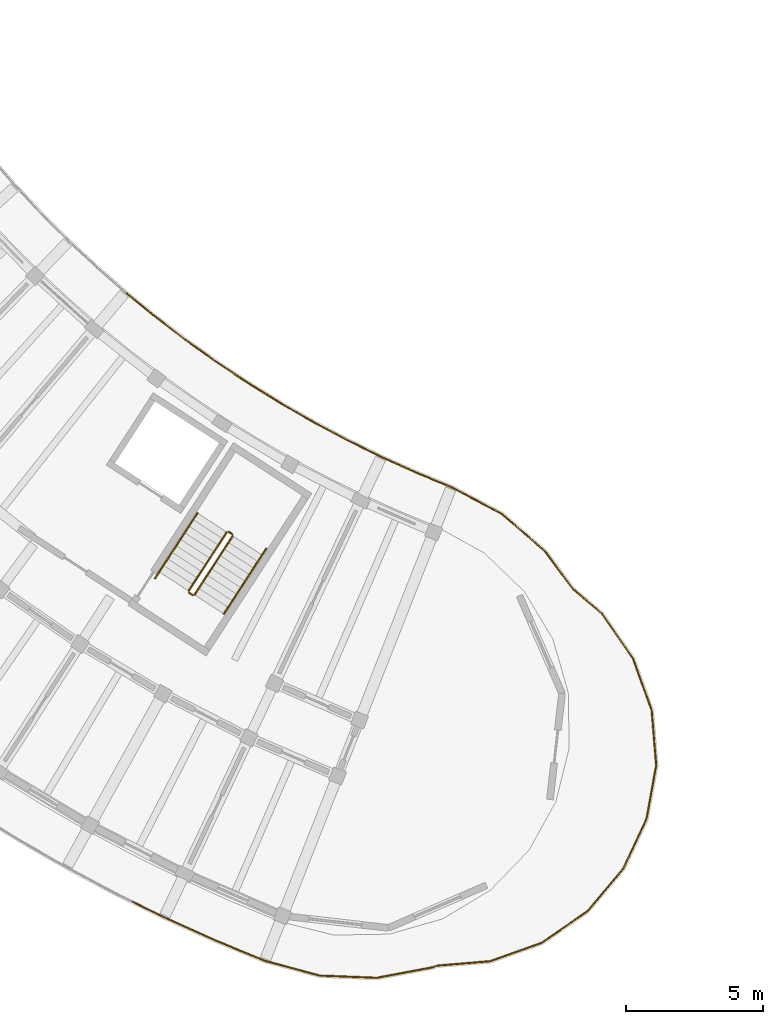
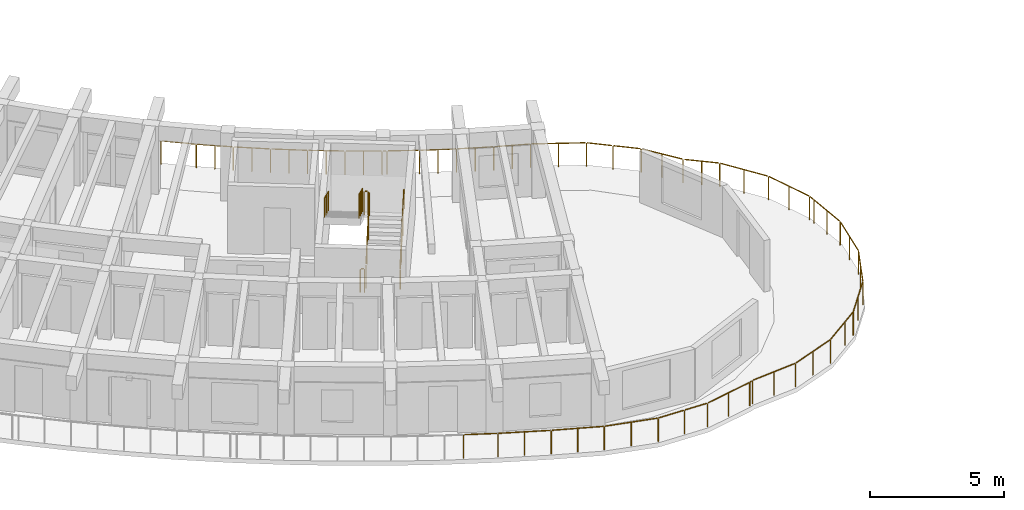
# One storey, part 44 of 56: 16 railings.
"""IFC4 building model written with IfcOpenShell, lengths in metres."""

import ifcopenshell
import ifcopenshell.guid

model = None  # the IFC model being written
_history = None  # IfcOwnerHistory: only IFC2X3 demands one
_inside = {}  # id of a spatial element -> (the spatial element, [elements in it])
_under = {}  # id of a project, library or spatial element -> (it, [spatial elements below it])
_declared = {}  # id of a project -> (the project, [libraries it declares])
_typed = {}  # id of a type object -> (the type object, [elements of that type])
_made_of = {}  # id of a material, layer set ... -> (it, [elements and type objects made of it])


def new_model(schema):
    """Start an empty IFC model of exactly this schema.

    Asked for "IFC4X3", IfcOpenShell would pick the latest addendum, in which some entities
    have other attributes; the version numbers below select the first issue.
    IFC2X3 requires an IfcOwnerHistory on every rooted entity: one is made here for all.
    """
    global model, _history
    if schema == "IFC4X3":
        model = ifcopenshell.file(schema_version=(4, 3, 0, 0))
    else:
        model = ifcopenshell.file(schema=schema)
    _inside.clear()
    _under.clear()
    _declared.clear()
    _typed.clear()
    _made_of.clear()
    _history = None
    if model.schema == "IFC2X3":
        org = make("IfcOrganization", Name="unknown")
        user = make(
            "IfcPersonAndOrganization",
            ThePerson=make("IfcPerson", FamilyName="unknown"),
            TheOrganization=org,
        )
        app = make(
            "IfcApplication",
            ApplicationDeveloper=org,
            Version="unknown",
            ApplicationFullName="unknown",
            ApplicationIdentifier="unknown",
        )
        _history = make(
            "IfcOwnerHistory",
            OwningUser=user,
            OwningApplication=app,
            ChangeAction="ADDED",
            CreationDate=0,
        )
    return model


def make(cls, **values):
    """One entity of the class cls with the attributes given. An attribute that is None is left unset."""
    return model.create_entity(
        cls, **{name: value for name, value in values.items() if value is not None}
    )


def rooted(cls, **values):
    """An entity with a GlobalId (a new one), such as an element, a storey or a relation."""
    return make(cls, GlobalId=ifcopenshell.guid.new(), OwnerHistory=_history, **values)


def si_unit(unit_type, name, prefix=None):
    """IfcSIUnit, for example si_unit("LENGTHUNIT", "METRE", prefix="MILLI")."""
    return make("IfcSIUnit", UnitType=unit_type, Prefix=prefix, Name=name)


def assignment(units):
    """IfcUnitAssignment: the units of a project."""
    return None if units is None else make("IfcUnitAssignment", Units=units)


def point(xyz):
    """IfcCartesianPoint."""
    return None if xyz is None else make("IfcCartesianPoint", Coordinates=xyz)


def direction(xyz):
    """IfcDirection."""
    return None if xyz is None else make("IfcDirection", DirectionRatios=xyz)


def frame(location, z_axis=None, x_axis=None):
    """IfcAxis2Placement3D, a coordinate frame: its origin and axes. An axis left out is left unset."""
    return make(
        "IfcAxis2Placement3D",
        Location=point(location),
        Axis=direction(z_axis),
        RefDirection=direction(x_axis),
    )


def frame_2d(location, x_axis=None):
    """IfcAxis2Placement2D, a coordinate frame in the plane: its origin and x axis."""
    return make(
        "IfcAxis2Placement2D", Location=point(location), RefDirection=direction(x_axis)
    )


def origin():
    """The frame at (0, 0, 0) with its axes left unset."""
    return frame((0.0, 0.0, 0.0))


def origin_2d():
    """The frame at (0, 0) in the plane with its x axis left unset."""
    return frame_2d((0.0, 0.0))


def place(relative_to, where):
    """IfcLocalPlacement: puts the frame where relative to a parent placement (None: the world)."""
    return make(
        "IfcLocalPlacement", PlacementRelTo=relative_to, RelativePlacement=where
    )


def context(
    kind, dimensions, precision=None, world=None, true_north=None, identifier=None
):
    """IfcGeometricRepresentationContext, for example the 3D "Model" context."""
    return make(
        "IfcGeometricRepresentationContext",
        ContextIdentifier=identifier,
        ContextType=kind,
        CoordinateSpaceDimension=dimensions,
        Precision=precision,
        WorldCoordinateSystem=world,
        TrueNorth=true_north,
    )


def subcontext(parent, identifier, kind, view, scale=None):
    """IfcGeometricRepresentationSubContext, for example "Body" below "Model"."""
    return make(
        "IfcGeometricRepresentationSubContext",
        ContextIdentifier=identifier,
        ContextType=kind,
        ParentContext=parent,
        TargetScale=scale,
        TargetView=view,
    )


def project(units=None, contexts=None):
    """IfcProject with its units and contexts."""
    return rooted(
        "IfcProject",
        Name="project",
        RepresentationContexts=contexts,
        UnitsInContext=assignment(units),
    )


def spatial(cls, under=None, at=None, **own):
    """A site, building, storey or space (cls), placed at a placement, below another one or the project."""
    s = rooted(cls, ObjectPlacement=at, **own)
    if under is not None:
        _under.setdefault(under.id(), (under, []))[1].append(s)
    return s


def profile(cls, at=None, kind="AREA", **sizes):
    """A parametric profile (cls). Its sizes go by their IFC names, for example OverallWidth=200.0."""
    return make(cls, ProfileType=kind, Position=at, **sizes)


def circle(**sizes):
    """IfcCircleProfileDef."""
    return profile("IfcCircleProfileDef", **sizes)


def extrude(swept, where, along, depth):
    """IfcExtrudedAreaSolid: the profile swept, set in the frame where, extruded along a direction by depth."""
    return make(
        "IfcExtrudedAreaSolid",
        SweptArea=swept,
        Position=where,
        ExtrudedDirection=direction(along),
        Depth=depth,
    )


def shape(context_of_items, identifier, shape_type, items):
    """IfcShapeRepresentation: the items that make up one representation, for example the "Body"."""
    return make(
        "IfcShapeRepresentation",
        ContextOfItems=context_of_items,
        RepresentationIdentifier=identifier,
        RepresentationType=shape_type,
        Items=items,
    )


def material(Name=None, Category=None):
    """IfcMaterial."""
    return make("IfcMaterial", Name=Name, Category=Category)


def made_of(thing, what):
    """Note that an element or type object is made of a material, layer set ...; save() writes the relation."""
    if what is not None:
        _made_of.setdefault(what.id(), (what, []))[1].append(thing)
    return thing


def type_object(cls, material=None, **own):
    """A type object (cls), such as IfcWallType, which elements share."""
    return made_of(rooted(cls, **own), material)


def element(
    cls,
    number,
    at=None,
    inside=None,
    cuts=None,
    type_object=None,
    material=None,
    context=None,
    identifier="Body",
    shape_type=None,
    held_by="IfcProductDefinitionShape",
    body=None,
    shapes=None,
    **own,
):
    """One element of the class cls, such as IfcWall. Its Tag is "e" and its number.

    at: its placement. inside: the storey or other place that contains it. cuts: it is an
    opening in that element (IfcRelVoidsElement). A single representation is given by context,
    identifier, shape_type and body (its items); several are given by shapes. held_by: the class
    of the entity that holds the representations. save() writes the other relations.
    """
    e = rooted(cls, Tag="e%d" % number, ObjectPlacement=at, **own)
    if body is not None:
        shapes = [shape(context, identifier, shape_type, body)]
    if shapes is not None:
        e.Representation = make(held_by, Representations=shapes)
    if inside is not None:
        _inside.setdefault(inside.id(), (inside, []))[1].append(e)
    if cuts is not None:
        rooted(
            "IfcRelVoidsElement", RelatingBuildingElement=cuts, RelatedOpeningElement=e
        )
    if type_object is not None:
        _typed.setdefault(type_object.id(), (type_object, []))[1].append(e)
    return made_of(e, material)


def aggregate(whole, parts):
    """IfcRelAggregates: a whole, such as a stair, and the parts it consists of."""
    return rooted("IfcRelAggregates", RelatingObject=whole, RelatedObjects=parts)


def save(model, path):
    """Write the relations noted so far, then the file.

    IfcRelAggregates (storeys below a building ...), IfcRelContainedInSpatialStructure (elements
    in a storey), IfcRelDefinesByType, IfcRelAssociatesMaterial and IfcRelDeclares: one each for
    every whole, place, type object, material and project.
    """
    for whole, parts in _under.values():
        aggregate(whole, parts)
    for where, things in _inside.values():
        rooted(
            "IfcRelContainedInSpatialStructure",
            RelatedElements=things,
            RelatingStructure=where,
        )
    for kind, things in _typed.values():
        rooted("IfcRelDefinesByType", RelatedObjects=things, RelatingType=kind)
    for what, things in _made_of.values():
        rooted("IfcRelAssociatesMaterial", RelatedObjects=things, RelatingMaterial=what)
    for by, libraries in _declared.values():
        rooted("IfcRelDeclares", RelatingContext=by, RelatedDefinitions=libraries)
    model.write(path)


model = new_model("IFC4")

# Units and contexts
model_context = context("Model", 3, precision=1e-05, world=origin(), true_north=direction((0.0, 1.0)))
body_context = subcontext(model_context, "Body", "Model", "MODEL_VIEW")
ifc_project = project(units=[si_unit("LENGTHUNIT", "METRE"), si_unit("AREAUNIT", "SQUARE_METRE"), si_unit("VOLUMEUNIT", "CUBIC_METRE"), si_unit("PLANEANGLEUNIT", "RADIAN"), si_unit("MASSUNIT", "GRAM", prefix="KILO")], contexts=[model_context])

# Site, building, storey
site_placement = place(None, origin())
site = spatial("IfcSite", under=ifc_project, at=site_placement, CompositionType="ELEMENT")
building_placement = place(site_placement, origin())
building = spatial("IfcBuilding", under=site, at=building_placement, Name="Tanwirah Colonnade Gardens", CompositionType="ELEMENT")
storey_placement = place(building_placement, frame((0.0, 0.0, 29.0)))
storey = spatial("IfcBuildingStorey", under=building, at=storey_placement, Name="L08", CompositionType="ELEMENT", Elevation=29.0)

# Railings
ifc_material_1 = material(Name="Precast concrete C40/50", Category="concrete")
railing_type_1 = type_object("IfcRailingType", Name="BAL-EXT110", PredefinedType="BALUSTRADE", material=ifc_material_1)
railing_1_placement = place(storey_placement, frame((37.470458984375, 31.88671875, 0.0)))
element("IfcRailing", 1, at=railing_1_placement, inside=storey, type_object=railing_type_1, Name="Block C L08 Balcony Ribbon Balustrade 4", PredefinedType="BALUSTRADE", context=body_context, shape_type="SweptSolid", body=[
    extrude(circle(Radius=0.02392578125, at=origin_2d()), frame((0.024169921875, -0.019775390625, 1.076171875), z_axis=(0.773696393655, -0.633556540843, 0.0), x_axis=(0.633556540843, 0.773696393655, 0.0)), (0.0, 0.0, 1.0), 1.27197265625),
    extrude(circle(Radius=0.02392578125, at=origin_2d()), frame((1.0595703125, -0.8662109375, 1.076171875), z_axis=(0.793969886309, -0.607957087001, 0.0), x_axis=(0.607957087001, 0.793969886309, 0.0)), (0.0, 0.0, 1.0), 1.331298828125),
    extrude(circle(Radius=0.02392578125, at=origin_2d()), frame((2.1689453125, -1.714111328125, 1.076171875), z_axis=(0.813473063063, -0.581602592558, 0.0), x_axis=(0.581602592558, 0.813473063063, 0.0)), (0.0, 0.0, 1.0), 1.33154296875),
    extrude(circle(Radius=0.02392578125, at=origin_2d()), frame((3.305908203125, -2.525634765625, 1.076171875), z_axis=(0.832077237554, -0.554659779274, 0.0), x_axis=(0.554659779274, 0.832077237554, 0.0)), (0.0, 0.0, 1.0), 1.33154296875),
    extrude(circle(Radius=0.02392578125, at=origin_2d()), frame((4.468505859375, -3.299560546875, 1.076171875), z_axis=(0.849764617567, -0.527162303973, 0.0), x_axis=(0.527162303973, 0.849764617567, 0.0)), (0.0, 0.0, 1.0), 1.33154296875),
    extrude(circle(Radius=0.02392578125, at=origin_2d()), frame((5.65576171875, -4.03466796875, 1.076171875), z_axis=(0.866535241782, -0.499115893104, 0.0), x_axis=(0.499115893104, 0.866535241782, 0.0)), (0.0, 0.0, 1.0), 1.33154296875),
    extrude(circle(Radius=0.02392578125, at=origin_2d()), frame((6.86669921875, -4.730712890625, 1.076171875), z_axis=(0.882428205938, -0.470447086679, 0.0), x_axis=(0.470447086679, 0.882428205938, 0.0)), (0.0, 0.0, 1.0), 0.116943359375),
    extrude(circle(Radius=0.02099609375, at=origin_2d()), origin(), (0.0, 0.0, 1.0), 1.049072265625),
    extrude(circle(Radius=0.02099609375, at=origin_2d()), frame((1.032470703125, -0.845458984375, 0.0)), (0.0, 0.0, 1.0), 1.049072265625),
    extrude(circle(Radius=0.02099609375, at=origin_2d()), frame((1.587890625, -1.27099609375, 0.0)), (0.0, 0.0, 1.0), 1.049072265625),
    extrude(circle(Radius=0.02099609375, at=origin_2d()), frame((2.141357421875, -1.694580078125, 0.0)), (0.0, 0.0, 1.0), 1.049072265625),
    extrude(circle(Radius=0.02099609375, at=origin_2d()), frame((2.71044921875, -2.1015625, 0.0)), (0.0, 0.0, 1.0), 1.049072265625),
    extrude(circle(Radius=0.02099609375, at=origin_2d()), frame((3.277587890625, -2.5068359375, 0.0)), (0.0, 0.0, 1.0), 1.049072265625),
    extrude(circle(Radius=0.02099609375, at=origin_2d()), frame((3.85986328125, -2.89501953125, 0.0)), (0.0, 0.0, 1.0), 1.049072265625),
    extrude(circle(Radius=0.02099609375, at=origin_2d()), frame((4.439697265625, -3.281494140625, 0.0)), (0.0, 0.0, 1.0), 1.049072265625),
    extrude(circle(Radius=0.02099609375, at=origin_2d()), frame((5.0341796875, -3.650390625, 0.0)), (0.0, 0.0, 1.0), 1.049072265625),
    extrude(circle(Radius=0.02099609375, at=origin_2d()), frame((5.62646484375, -4.017822265625, 0.0)), (0.0, 0.0, 1.0), 1.049072265625),
    extrude(circle(Radius=0.02099609375, at=origin_2d()), frame((6.232666015625, -4.366943359375, 0.0)), (0.0, 0.0, 1.0), 1.049072265625),
    extrude(circle(Radius=0.02099609375, at=origin_2d()), frame((6.836669921875, -4.71484375, 0.0)), (0.0, 0.0, 1.0), 1.049072265625),
    extrude(circle(Radius=0.02099609375, at=origin_2d()), frame((6.99755859375, -4.800537109375, 0.0)), (0.0, 0.0, 1.0), 1.049072265625),
])
railing_2_placement = place(storey_placement, frame((44.468017578125, 27.086181640625, 0.0)))
element("IfcRailing", 2, at=railing_2_placement, inside=storey, type_object=railing_type_1, Name="Block C L08 Balcony Ribbon Balustrade 5", PredefinedType="BALUSTRADE", context=body_context, shape_type="SweptSolid", body=[
    extrude(circle(Radius=0.02392578125, at=origin_2d()), frame((0.027587890625, -0.0146484375, 1.076171875), z_axis=(0.882419717919, -0.470463007503, 0.0), x_axis=(0.470463007503, 0.882419717919, 0.0)), (0.0, 0.0, 1.0), 1.15185546875),
    extrude(circle(Radius=0.02392578125, at=origin_2d()), frame((1.10205078125, -0.58642578125, 1.076171875), z_axis=(0.897349966121, -0.441319655469, 0.0), x_axis=(0.441319655469, 0.897349966121, 0.0)), (0.0, 0.0, 1.0), 1.33154296875),
    extrude(circle(Radius=0.02392578125, at=origin_2d()), frame((2.355712890625, -1.201904296875, 1.076171875), z_axis=(0.911383314029, -0.411558568018, 0.0), x_axis=(0.411558568018, 0.911383314029, 0.0)), (0.0, 0.0, 1.0), 1.33154296875),
    extrude(circle(Radius=0.02392578125, at=origin_2d()), frame((3.62890625, -1.77587890625, 1.076171875), z_axis=(0.924313956319, -0.381632952134, 0.0), x_axis=(0.381632952134, 0.924313956319, 0.0)), (0.0, 0.0, 1.0), 1.32763671875),
    extrude(circle(Radius=0.02392578125, at=origin_2d()), frame((4.91259765625, -2.30908203125, 1.076171875), z_axis=(0.883506739938, -0.468418445927, 0.0), x_axis=(0.468418445927, 0.883506739938, 0.0)), (0.0, 0.0, 1.0), 2.029541015625),
    extrude(circle(Radius=0.02392578125, at=origin_2d()), frame((6.757080078125, -3.294921875, 1.076171875), z_axis=(0.757182584874, -0.653203286247, 0.0), x_axis=(0.653203286247, 0.757182584874, 0.0)), (0.0, 0.0, 1.0), 0.94482421875),
    extrude(circle(Radius=0.02099609375, at=origin_2d()), origin(), (0.0, 0.0, 1.0), 1.049072265625),
    extrude(circle(Radius=0.02099609375, at=origin_2d()), frame((1.071533203125, -0.5712890625, 0.0)), (0.0, 0.0, 1.0), 1.049072265625),
    extrude(circle(Radius=0.02099609375, at=origin_2d()), frame((1.699462890625, -0.880126953125, 0.0)), (0.0, 0.0, 1.0), 1.049072265625),
    extrude(circle(Radius=0.02099609375, at=origin_2d()), frame((2.324951171875, -1.187744140625, 0.0)), (0.0, 0.0, 1.0), 1.049072265625),
    extrude(circle(Radius=0.02099609375, at=origin_2d()), frame((2.96240234375, -1.475830078125, 0.0)), (0.0, 0.0, 1.0), 1.049072265625),
    extrude(circle(Radius=0.02099609375, at=origin_2d()), frame((3.59765625, -1.7626953125, 0.0)), (0.0, 0.0, 1.0), 1.049072265625),
    extrude(circle(Radius=0.02099609375, at=origin_2d()), frame((4.24267578125, -2.029296875, 0.0)), (0.0, 0.0, 1.0), 1.049072265625),
    extrude(circle(Radius=0.02099609375, at=origin_2d()), frame((4.885009765625, -2.29443359375, 0.0)), (0.0, 0.0, 1.0), 1.049072265625),
    extrude(circle(Radius=0.02099609375, at=origin_2d()), frame((5.80908203125, -2.784423828125, 0.0)), (0.0, 0.0, 1.0), 1.049072265625),
    extrude(circle(Radius=0.02099609375, at=origin_2d()), frame((6.7333984375, -3.2744140625, 0.0)), (0.0, 0.0, 1.0), 1.049072265625),
    extrude(circle(Radius=0.02099609375, at=origin_2d()), frame((7.49609375, -3.932373046875, 0.0)), (0.0, 0.0, 1.0), 1.049072265625),
])
railing_3_placement = place(storey_placement, frame((51.964111328125, 23.15380859375, 0.0)))
element("IfcRailing", 3, at=railing_3_placement, inside=storey, type_object=railing_type_1, Name="Block C L08 Balcony Ribbon Balustrade 6", PredefinedType="BALUSTRADE", context=body_context, shape_type="SweptSolid", body=[
    extrude(circle(Radius=0.02392578125, at=origin_2d()), frame((0.023681640625, -0.0205078125, 1.076171875), z_axis=(0.757209367907, -0.653172238505, 0.0), x_axis=(0.653172238505, 0.757209367907, 0.0)), (0.0, 0.0, 1.0), 1.016845703125),
    extrude(circle(Radius=0.02392578125, at=origin_2d()), frame((0.8359375, -0.730224609375, 1.076171875), z_axis=(0.592790459471, -0.805356735342, 0.0), x_axis=(0.805356735342, 0.592790459471, 0.0)), (0.0, 0.0, 1.0), 1.64990234375),
    extrude(circle(Radius=0.02392578125, at=origin_2d()), frame((1.869140625, -2.1181640625, 1.076171875), z_axis=(0.763231701337, -0.646124887367, 0.0), x_axis=(0.646124887367, 0.763231701337, 0.0)), (0.0, 0.0, 1.0), 1.3154296875),
    extrude(circle(Radius=0.02392578125, at=origin_2d()), frame((2.914794921875, -3.013916015625, 1.076171875), z_axis=(0.570066526357, -0.821598536712, 0.0), x_axis=(0.821598536712, 0.570066526357, 0.0)), (0.0, 0.0, 1.0), 1.952392578125),
    extrude(circle(Radius=0.02392578125, at=origin_2d()), frame((4.05615234375, -4.67333984375, 1.076171875), z_axis=(0.337878512238, -0.941189731652, 0.0), x_axis=(0.941189731652, 0.337878512238, 0.0)), (0.0, 0.0, 1.0), 1.95263671875),
    extrude(circle(Radius=0.02392578125, at=origin_2d()), frame((4.729248046875, -6.57177734375, 1.076171875), z_axis=(0.082470715502, -0.996593488382, 0.0), x_axis=(0.996593488382, 0.082470715502, 0.0)), (0.0, 0.0, 1.0), 0.21875),
    extrude(circle(Radius=0.02099609375, at=origin_2d()), origin(), (0.0, 0.0, 1.0), 1.049072265625),
    extrude(circle(Radius=0.02099609375, at=origin_2d()), frame((0.8173828125, -0.705078125, 0.0)), (0.0, 0.0, 1.0), 1.049072265625),
    extrude(circle(Radius=0.02099609375, at=origin_2d()), frame((1.324951171875, -1.39453125, 0.0)), (0.0, 0.0, 1.0), 1.049072265625),
    extrude(circle(Radius=0.02099609375, at=origin_2d()), frame((1.83251953125, -2.084228515625, 0.0)), (0.0, 0.0, 1.0), 1.049072265625),
    extrude(circle(Radius=0.02099609375, at=origin_2d()), frame((2.37109375, -2.54296875, 0.0)), (0.0, 0.0, 1.0), 1.049072265625),
    extrude(circle(Radius=0.02099609375, at=origin_2d()), frame((2.89697265625, -2.98828125, 0.0)), (0.0, 0.0, 1.0), 1.049072265625),
    extrude(circle(Radius=0.02099609375, at=origin_2d()), frame((3.47119140625, -3.81591796875, 0.0)), (0.0, 0.0, 1.0), 1.049072265625),
    extrude(circle(Radius=0.02099609375, at=origin_2d()), frame((4.045654296875, -4.643798828125, 0.0)), (0.0, 0.0, 1.0), 1.049072265625),
    extrude(circle(Radius=0.02099609375, at=origin_2d()), frame((4.38623046875, -5.59228515625, 0.0)), (0.0, 0.0, 1.0), 1.049072265625),
    extrude(circle(Radius=0.02099609375, at=origin_2d()), frame((4.7265625, -6.54052734375, 0.0)), (0.0, 0.0, 1.0), 1.049072265625),
    extrude(circle(Radius=0.02099609375, at=origin_2d()), frame((4.749755859375, -6.82080078125, 0.0)), (0.0, 0.0, 1.0), 1.049072265625),
])
railing_4_placement = place(storey_placement, frame((56.7138671875, 16.3330078125, 0.0)))
element("IfcRailing", 4, at=railing_4_placement, inside=storey, type_object=railing_type_1, Name="Block C L08 Balcony Ribbon Balustrade 7", PredefinedType="BALUSTRADE", context=body_context, shape_type="SweptSolid", body=[
    extrude(circle(Radius=0.02392578125, at=origin_2d()), frame((0.002685546875, -0.03125, 1.076171875), z_axis=(0.082789127941, -0.996567087704, 0.0), x_axis=(0.996567087704, 0.082789127941, 0.0)), (0.0, 0.0, 1.0), 1.67138671875),
    extrude(circle(Radius=0.02392578125, at=origin_2d()), frame((0.137939453125, -1.7587890625, 1.076171875), z_axis=(-0.177979110613, -0.984034265758, 0.0), x_axis=(0.984034265758, -0.177979110613, 0.0)), (0.0, 0.0, 1.0), 1.95263671875),
    extrude(circle(Radius=0.02392578125, at=origin_2d()), frame((-0.228515625, -3.7392578125, 1.076171875), z_axis=(-0.426497119786, -0.904488920228, 0.0), x_axis=(0.904488920228, -0.426497119786, 0.0)), (0.0, 0.0, 1.0), 1.952392578125),
    extrude(circle(Radius=0.02392578125, at=origin_2d()), frame((-1.0947265625, -5.557373046875, 1.076171875), z_axis=(-0.64617029338, -0.763193259898, 0.0), x_axis=(0.763193259898, -0.64617029338, 0.0)), (0.0, 0.0, 1.0), 1.952880859375),
    extrude(circle(Radius=0.02392578125, at=origin_2d()), frame((-2.40234375, -7.08935546875, 1.076171875), z_axis=(-0.821533059767, -0.570160882304, 0.0), x_axis=(0.570160882304, -0.821533059767, 0.0)), (0.0, 0.0, 1.0), 0.658203125),
    extrude(circle(Radius=0.02099609375, at=origin_2d()), origin(), (0.0, 0.0, 1.0), 1.049072265625),
    extrude(circle(Radius=0.02099609375, at=origin_2d()), frame((0.07177734375, -0.864013671875, 0.0)), (0.0, 0.0, 1.0), 1.049072265625),
    extrude(circle(Radius=0.02099609375, at=origin_2d()), frame((0.1435546875, -1.72802734375, 0.0)), (0.0, 0.0, 1.0), 1.049072265625),
    extrude(circle(Radius=0.02099609375, at=origin_2d()), frame((-0.03564453125, -2.719482421875, 0.0)), (0.0, 0.0, 1.0), 1.049072265625),
    extrude(circle(Radius=0.02099609375, at=origin_2d()), frame((-0.215087890625, -3.7109375, 0.0)), (0.0, 0.0, 1.0), 1.049072265625),
    extrude(circle(Radius=0.02099609375, at=origin_2d()), frame((-0.644775390625, -4.6220703125, 0.0)), (0.0, 0.0, 1.0), 1.049072265625),
    extrude(circle(Radius=0.02099609375, at=origin_2d()), frame((-1.074462890625, -5.533447265625, 0.0)), (0.0, 0.0, 1.0), 1.049072265625),
    extrude(circle(Radius=0.02099609375, at=origin_2d()), frame((-1.7255859375, -6.302490234375, 0.0)), (0.0, 0.0, 1.0), 1.049072265625),
    extrude(circle(Radius=0.02099609375, at=origin_2d()), frame((-2.376708984375, -7.071533203125, 0.0)), (0.0, 0.0, 1.0), 1.049072265625),
    extrude(circle(Radius=0.02099609375, at=origin_2d()), frame((-2.96875, -7.482421875, 0.0)), (0.0, 0.0, 1.0), 1.049072265625),
])
railing_5_placement = place(storey_placement, frame((53.7451171875, 8.8505859375, 0.0)))
element("IfcRailing", 5, at=railing_5_placement, inside=storey, type_object=railing_type_1, Name="Block C L08 Balcony Ribbon Balustrade 8", PredefinedType="BALUSTRADE", context=body_context, shape_type="SweptSolid", body=[
    extrude(circle(Radius=0.02392578125, at=origin_2d()), frame((-0.025634765625, -0.017822265625, 1.076171875), z_axis=(-0.821634987775, -0.570013988305, 0.0), x_axis=(0.570013988305, -0.821634987775, 0.0)), (0.0, 0.0, 1.0), 1.23193359375),
    extrude(circle(Radius=0.02392578125, at=origin_2d()), frame((-1.093017578125, -0.748291015625, 1.076171875), z_axis=(-0.941189731652, -0.337878512238, 0.0), x_axis=(0.337878512238, -0.941189731652, 0.0)), (0.0, 0.0, 1.0), 1.95263671875),
    extrude(circle(Radius=0.02392578125, at=origin_2d()), frame((-2.991455078125, -1.42138671875, 1.076171875), z_axis=(-0.996563719911, -0.082829657468, 0.0), x_axis=(0.082829657468, -0.996563719911, 0.0)), (0.0, 0.0, 1.0), 1.903564453125),
    extrude(circle(Radius=0.02392578125, at=origin_2d()), frame((-4.973388671875, -1.600341796875, 1.076171875), z_axis=(-0.917244262418, -0.398325197624, 0.0), x_axis=(0.398325197624, -0.917244262418, 0.0)), (0.0, 0.0, 1.0), 0.071044921875),
    extrude(circle(Radius=0.02392578125, at=origin_2d()), frame((-5.09814453125, -1.64697265625, 1.076171875), z_axis=(-0.982791306603, -0.184719375447, 0.0), x_axis=(0.184719375447, -0.982791306603, 0.0)), (0.0, 0.0, 1.0), 2.0244140625),
    extrude(circle(Radius=0.02392578125, at=origin_2d()), frame((-7.149658203125, -2.025390625, 1.076171875), z_axis=(-0.999250437609, 0.038711276638, 0.0), x_axis=(-0.038711276638, -0.999250437609, 0.0)), (0.0, 0.0, 1.0), 0.9150390625),
    extrude(circle(Radius=0.02099609375, at=origin_2d()), origin(), (0.0, 0.0, 1.0), 1.049072265625),
    extrude(circle(Radius=0.02099609375, at=origin_2d()), frame((-1.0634765625, -0.73779296875, 0.0)), (0.0, 0.0, 1.0), 1.049072265625),
    extrude(circle(Radius=0.02099609375, at=origin_2d()), frame((-2.01171875, -1.078125, 0.0)), (0.0, 0.0, 1.0), 1.049072265625),
    extrude(circle(Radius=0.02099609375, at=origin_2d()), frame((-2.960205078125, -1.418701171875, 0.0)), (0.0, 0.0, 1.0), 1.049072265625),
    extrude(circle(Radius=0.02099609375, at=origin_2d()), frame((-3.93994140625, -1.5, 0.0)), (0.0, 0.0, 1.0), 1.049072265625),
    extrude(circle(Radius=0.02099609375, at=origin_2d()), frame((-4.91943359375, -1.58154296875, 0.0)), (0.0, 0.0, 1.0), 1.049072265625),
    extrude(circle(Radius=0.02099609375, at=origin_2d()), frame((-5.0673828125, -1.64111328125, 0.0)), (0.0, 0.0, 1.0), 1.049072265625),
    extrude(circle(Radius=0.02099609375, at=origin_2d()), frame((-6.0927734375, -1.833984375, 0.0)), (0.0, 0.0, 1.0), 1.049072265625),
    extrude(circle(Radius=0.02099609375, at=origin_2d()), frame((-7.118408203125, -2.026611328125, 0.0)), (0.0, 0.0, 1.0), 1.049072265625),
    extrude(circle(Radius=0.02099609375, at=origin_2d()), frame((-8.09521484375, -1.98876953125, 0.0)), (0.0, 0.0, 1.0), 1.049072265625),
])
railing_6_placement = place(storey_placement, frame((45.64990234375, 6.86181640625, 0.0)))
element("IfcRailing", 6, at=railing_6_placement, inside=storey, type_object=railing_type_1, Name="Block C L08 Balcony Ribbon Balustrade 9", PredefinedType="BALUSTRADE", context=body_context, shape_type="SweptSolid", body=[
    extrude(circle(Radius=0.02392578125, at=origin_2d()), frame((-0.03125, 0.001220703125, 1.076171875), z_axis=(-0.999257919936, 0.038517651099, 0.0), x_axis=(-0.038517651099, -0.999257919936, 0.0)), (0.0, 0.0, 1.0), 1.046630859375),
    extrude(circle(Radius=0.02392578125, at=origin_2d()), frame((-1.138671875, 0.05078125, 1.076171875), z_axis=(-0.965594333473, 0.260053039139, 0.0), x_axis=(-0.260053039139, -0.965594333473, 0.0)), (0.0, 0.0, 1.0), 2.0283203125),
    extrude(circle(Radius=0.02392578125, at=origin_2d()), frame((-3.156005859375, 0.598388671875, 1.076171875), z_axis=(-0.924309103419, 0.381644705632, 0.0), x_axis=(-0.381644705632, -0.924309103419, 0.0)), (0.0, 0.0, 1.0), 1.9404296875),
    extrude(circle(Radius=0.02392578125, at=origin_2d()), frame((-5.007080078125, 1.36376953125, 1.076171875), z_axis=(-0.911305810052, 0.411730155035, 0.0), x_axis=(-0.411730155035, -0.911305810052, 0.0)), (0.0, 0.0, 1.0), 1.944091796875),
    extrude(circle(Radius=0.02392578125, at=origin_2d()), frame((-6.835205078125, 2.19091796875, 1.076171875), z_axis=(-0.897358562114, 0.44130217652, 0.0), x_axis=(-0.44130217652, -0.897358562114, 0.0)), (0.0, 0.0, 1.0), 1.228271484375),
    extrude(circle(Radius=0.02099609375, at=origin_2d()), origin(), (0.0, 0.0, 1.0), 1.049072265625),
    extrude(circle(Radius=0.02099609375, at=origin_2d()), frame((-1.1083984375, 0.042724609375, 0.0)), (0.0, 0.0, 1.0), 1.049072265625),
    extrude(circle(Radius=0.02099609375, at=origin_2d()), frame((-2.11767578125, 0.314453125, 0.0)), (0.0, 0.0, 1.0), 1.049072265625),
    extrude(circle(Radius=0.02099609375, at=origin_2d()), frame((-3.127197265625, 0.58642578125, 0.0)), (0.0, 0.0, 1.0), 1.049072265625),
    extrude(circle(Radius=0.02099609375, at=origin_2d()), frame((-4.052734375, 0.96875, 0.0)), (0.0, 0.0, 1.0), 1.049072265625),
    extrude(circle(Radius=0.02099609375, at=origin_2d()), frame((-4.978515625, 1.350830078125, 0.0)), (0.0, 0.0, 1.0), 1.049072265625),
    extrude(circle(Radius=0.02099609375, at=origin_2d()), frame((-5.892822265625, 1.763916015625, 0.0)), (0.0, 0.0, 1.0), 1.049072265625),
    extrude(circle(Radius=0.02099609375, at=origin_2d()), frame((-6.80712890625, 2.177001953125, 0.0)), (0.0, 0.0, 1.0), 1.049072265625),
    extrude(circle(Radius=0.02099609375, at=origin_2d()), frame((-7.96533203125, 2.74658203125, 0.0)), (0.0, 0.0, 1.0), 1.049072265625),
])
ifc_material_2 = material(Name="Powder-coated galvanized steel", Category="steel")
railing_type_2 = type_object("IfcRailingType", Name="GRD-ST110", PredefinedType="GUARDRAIL", material=ifc_material_2)
railing_7_placement = place(storey_placement, frame((39.955078125, 20.84814453125, 0.16796875)))
element("IfcRailing", 7, at=railing_7_placement, inside=storey, type_object=railing_type_2, Name="L08 ST-C2 stair guard 1", PredefinedType="GUARDRAIL", context=body_context, shape_type="SweptSolid", body=[
    extrude(circle(Radius=0.02392578125, at=origin_2d()), frame((0.0146484375, 0.022705078125, 1.092041015625), z_axis=(0.469192556557, 0.722484378858, 0.507813614603), x_axis=(-0.838667537708, 0.544643701143, 0.0)), (0.0, 0.0, 1.0), 2.914794921875),
    extrude(circle(Radius=0.02099609375, at=origin_2d()), origin(), (0.0, 0.0, 1.0), 1.049072265625),
    extrude(circle(Radius=0.02099609375, at=origin_2d()), frame((0.465576171875, 0.717041015625, 0.50390625)), (0.0, 0.0, 1.0), 1.049072265625),
    extrude(circle(Radius=0.02099609375, at=origin_2d()), frame((0.931396484375, 1.43408203125, 1.008056640625)), (0.0, 0.0, 1.0), 1.049072265625),
    extrude(circle(Radius=0.02099609375, at=origin_2d()), frame((1.39697265625, 2.151123046875, 1.511962890625)), (0.0, 0.0, 1.0), 1.049072265625),
])
railing_8_placement = place(storey_placement, frame((41.33740234375, 23.068603515625, 1.679931640625)))
element("IfcRailing", 8, at=railing_8_placement, inside=storey, type_object=railing_type_2, Name="L08 ST-C2 stair guard 2", PredefinedType="GUARDRAIL", context=body_context, shape_type="SweptSolid", body=[
    extrude(circle(Radius=0.02392578125, at=origin_2d()), frame((-0.026123046875, 0.01708984375, 1.076171875), z_axis=(-0.838791880614, 0.544452184326, 0.0), x_axis=(-0.544452184326, -0.838791880614, 0.0)), (0.0, 0.0, 1.0), 0.09765625),
    extrude(circle(Radius=0.02099609375, at=origin_2d()), origin(), (0.0, 0.0, 1.0), 1.049072265625),
    extrude(circle(Radius=0.02099609375, at=origin_2d()), frame((-0.13427734375, 0.087158203125, 0.0)), (0.0, 0.0, 1.0), 1.049072265625),
])
railing_9_placement = place(storey_placement, frame((41.134033203125, 23.140869140625, 1.847900390625)))
element("IfcRailing", 9, at=railing_9_placement, inside=storey, type_object=railing_type_2, Name="L08 ST-C2 stair guard 3", PredefinedType="GUARDRAIL", context=body_context, shape_type="SweptSolid", body=[
    extrude(circle(Radius=0.02392578125, at=origin_2d()), frame((-0.0146484375, -0.022705078125, 1.092041015625), z_axis=(-0.469173019163, -0.722454294275, 0.507874463596), x_axis=(0.838667537708, -0.544643701143, 0.0)), (0.0, 0.0, 1.0), 2.9150390625),
    extrude(circle(Radius=0.02099609375, at=origin_2d()), origin(), (0.0, 0.0, 1.0), 1.049072265625),
    extrude(circle(Radius=0.02099609375, at=origin_2d()), frame((-0.465576171875, -0.717041015625, 0.504150390625)), (0.0, 0.0, 1.0), 1.049072265625),
    extrude(circle(Radius=0.02099609375, at=origin_2d()), frame((-0.931396484375, -1.43408203125, 1.008056640625)), (0.0, 0.0, 1.0), 1.049072265625),
    extrude(circle(Radius=0.02099609375, at=origin_2d()), frame((-1.39697265625, -2.151123046875, 1.51220703125)), (0.0, 0.0, 1.0), 1.049072265625),
])
railing_10_placement = place(storey_placement, frame((39.8857421875, 20.83349609375, 0.0)))
element("IfcRailing", 10, at=railing_10_placement, inside=storey, type_object=railing_type_2, Name="L08 ST-C2 stair guard 4", PredefinedType="GUARDRAIL", context=body_context, shape_type="SweptSolid", body=[
    extrude(circle(Radius=0.02392578125, at=origin_2d()), frame((-0.026123046875, 0.01708984375, 1.076171875), z_axis=(-0.838338936283, 0.545149362938, 0.0), x_axis=(-0.545149362938, -0.838338936283, 0.0)), (0.0, 0.0, 1.0), 0.097412109375),
    extrude(circle(Radius=0.02099609375, at=origin_2d()), origin(), (0.0, 0.0, 1.0), 1.049072265625),
    extrude(circle(Radius=0.02099609375, at=origin_2d()), frame((-0.134033203125, 0.087158203125, 0.0)), (0.0, 0.0, 1.0), 1.049072265625),
])
ifc_material_3 = material(Name="Brushed bronze stainless steel", Category="steel")
railing_type_3 = type_object("IfcRailingType", Name="HR-ST090", PredefinedType="HANDRAIL", material=ifc_material_3)
railing_11_placement = place(storey_placement, frame((41.028564453125, 20.151123046875, 0.16796875)))
element("IfcRailing", 11, at=railing_11_placement, inside=storey, type_object=railing_type_3, Name="L08 ST-C2 stair handrail 1", PredefinedType="HANDRAIL", context=body_context, shape_type="SweptSolid", body=[
    extrude(circle(Radius=0.02392578125, at=origin_2d()), frame((0.0146484375, 0.0224609375, 0.891845703125), z_axis=(0.467889522294, 0.720492454576, 0.511830067333), x_axis=(-0.838672561027, 0.544635965926, 0.0)), (0.0, 0.0, 1.0), 1.043212890625),
    extrude(circle(Radius=0.02099609375, at=origin_2d()), origin(), (0.0, 0.0, 1.0), 0.848876953125),
    extrude(circle(Radius=0.02099609375, at=origin_2d()), frame((0.517333984375, 0.796630859375, 0.56591796875)), (0.0, 0.0, 1.0), 0.848876953125),
])
railing_12_placement = place(storey_placement, frame((41.5458984375, 20.94775390625, 0.73388671875)))
element("IfcRailing", 12, at=railing_12_placement, inside=storey, type_object=railing_type_3, Name="L08 ST-C2 stair handrail 2", PredefinedType="HANDRAIL", context=body_context, shape_type="SweptSolid", body=[
    extrude(circle(Radius=0.02392578125, at=origin_2d()), frame((0.0146484375, 0.0224609375, 0.891845703125), z_axis=(0.467836641068, 0.720411023977, 0.511993001717), x_axis=(-0.838672561027, 0.544635965926, 0.0)), (0.0, 0.0, 1.0), 1.043212890625),
    extrude(circle(Radius=0.02099609375, at=origin_2d()), origin(), (0.0, 0.0, 1.0), 0.848876953125),
    extrude(circle(Radius=0.02099609375, at=origin_2d()), frame((0.517333984375, 0.796630859375, 0.566162109375)), (0.0, 0.0, 1.0), 0.848876953125),
])
railing_13_placement = place(storey_placement, frame((42.063232421875, 21.744384765625, 1.300048828125)))
element("IfcRailing", 13, at=railing_13_placement, inside=storey, type_object=railing_type_3, Name="L08 ST-C2 stair handrail 3", PredefinedType="HANDRAIL", context=body_context, shape_type="SweptSolid", body=[
    extrude(circle(Radius=0.02392578125, at=origin_2d()), frame((0.0146484375, 0.0224609375, 0.891845703125), z_axis=(0.467987521127, 0.720524183471, 0.511695789609), x_axis=(-0.838631412534, 0.544699324317, 0.0)), (0.0, 0.0, 1.0), 1.04345703125),
    extrude(circle(Radius=0.02099609375, at=origin_2d()), origin(), (0.0, 0.0, 1.0), 0.848876953125),
    extrude(circle(Radius=0.02099609375, at=origin_2d()), frame((0.517578125, 0.796875, 0.56591796875)), (0.0, 0.0, 1.0), 0.848876953125),
])
railing_14_placement = place(storey_placement, frame((40.060546875, 23.838134765625, 1.847900390625)))
element("IfcRailing", 14, at=railing_14_placement, inside=storey, type_object=railing_type_3, Name="L08 ST-C2 stair handrail 4", PredefinedType="HANDRAIL", context=body_context, shape_type="SweptSolid", body=[
    extrude(circle(Radius=0.02392578125, at=origin_2d()), frame((-0.0146484375, -0.0224609375, 0.891845703125), z_axis=(-0.467934656569, -0.720442792, 0.511858711596), x_axis=(0.838631412534, -0.544699324317, 0.0)), (0.0, 0.0, 1.0), 1.04345703125),
    extrude(circle(Radius=0.02099609375, at=origin_2d()), origin(), (0.0, 0.0, 1.0), 0.848876953125),
    extrude(circle(Radius=0.02099609375, at=origin_2d()), frame((-0.517578125, -0.796875, 0.566162109375)), (0.0, 0.0, 1.0), 0.848876953125),
])
for number, where, name in (
    (15, (39.54296875, 23.041259765625, 2.4140625), "L08 ST-C2 stair handrail 5"),
    (16, (39.025634765625, 22.24462890625, 2.97998046875), "L08 ST-C2 stair handrail 6"),
):
    element("IfcRailing", number, at=place(storey_placement, frame(where)), inside=storey, type_object=railing_type_3, Name=name, PredefinedType="HANDRAIL", context=body_context, shape_type="SweptSolid", body=[
        extrude(circle(Radius=0.02392578125, at=origin_2d()), frame((-0.0146484375, -0.0224609375, 0.891845703125), z_axis=(-0.467889522294, -0.720492454576, 0.511830067333), x_axis=(0.838672561027, -0.544635965926, 0.0)), (0.0, 0.0, 1.0), 1.043212890625),
        extrude(circle(Radius=0.02099609375, at=origin_2d()), origin(), (0.0, 0.0, 1.0), 0.848876953125),
        extrude(circle(Radius=0.02099609375, at=origin_2d()), frame((-0.517333984375, -0.796630859375, 0.56591796875)), (0.0, 0.0, 1.0), 0.848876953125),
    ])

save(model, "model.ifc")
